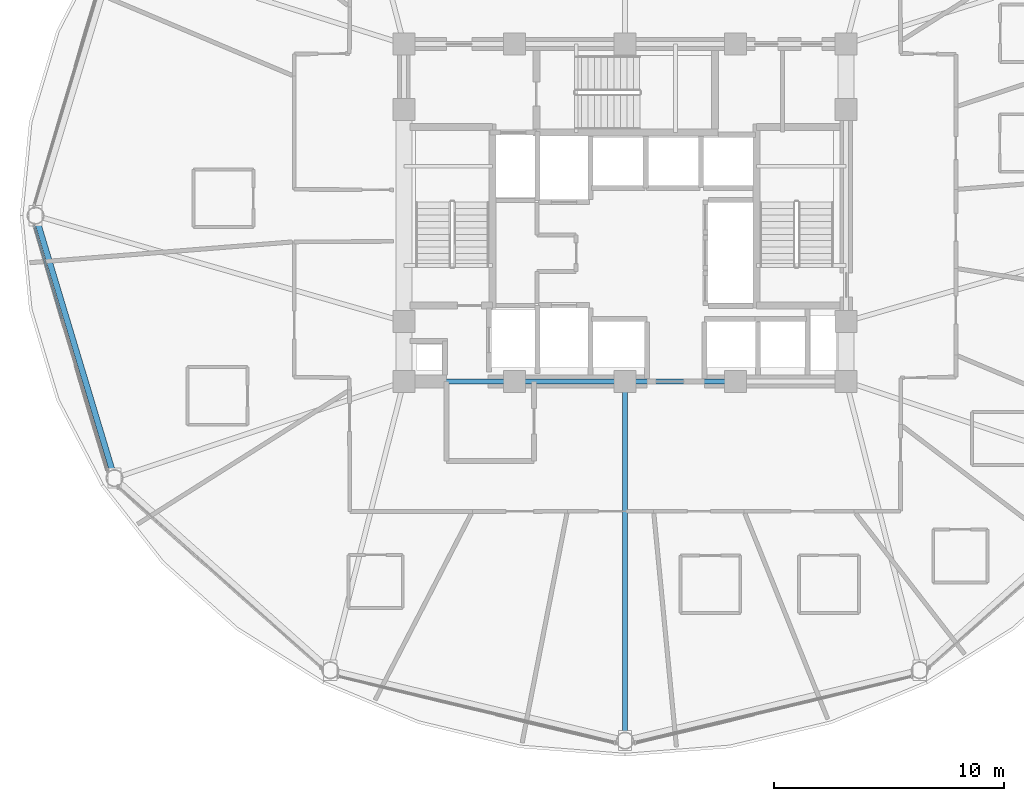
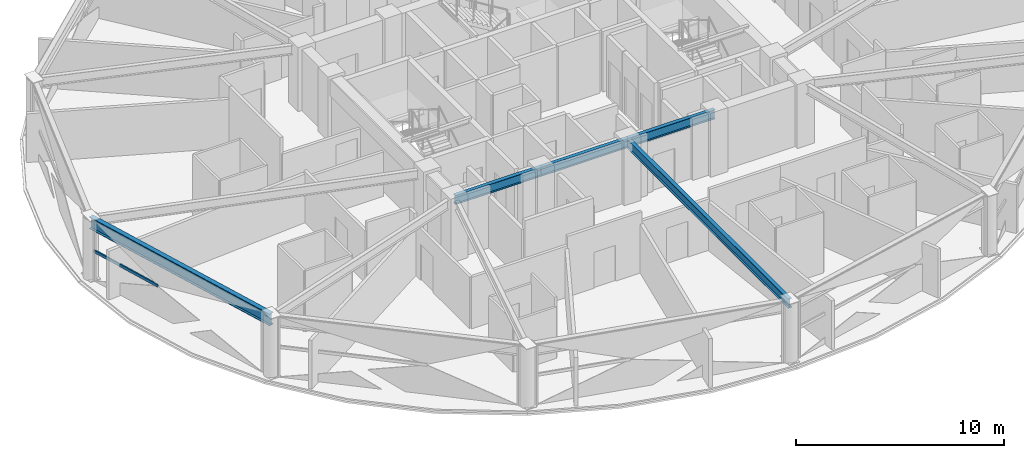
# One storey, part 6 of 32: 5 beams, 1 member, 1 element without a shape of its own.
"""IFC4 building model written with IfcOpenShell, lengths in metres."""

from ifc_helpers import new_model, si_unit, direction, frame, origin, origin_2d, place, context, subcontext, project, spatial, hollow_rectangle, i_section, extrude, material, layer, layer_set, material_profile, profile_set, type_object, element, aggregate, save


model = new_model("IFC4")

# Units and contexts
model_context = context("Model", 3, precision=1e-05, world=origin(), true_north=direction((0.0, 1.0)))
body_context = subcontext(model_context, "Body", "Model", "MODEL_VIEW")
ifc_project = project(units=[si_unit("LENGTHUNIT", "METRE"), si_unit("AREAUNIT", "SQUARE_METRE"), si_unit("VOLUMEUNIT", "CUBIC_METRE"), si_unit("PLANEANGLEUNIT", "RADIAN"), si_unit("MASSUNIT", "GRAM", prefix="KILO")], contexts=[model_context])

# Site, building, storey
site_placement = place(None, origin())
site = spatial("IfcSite", under=ifc_project, at=site_placement, CompositionType="ELEMENT")
building_placement = place(site_placement, origin())
building = spatial("IfcBuilding", under=site, at=building_placement, Name="Vantalir Tower", CompositionType="ELEMENT")
storey_placement = place(building_placement, frame((0.0, 0.0, 108.449951171875)))
storey = spatial("IfcBuildingStorey", under=building, at=storey_placement, Name="L26", CompositionType="ELEMENT", Elevation=108.449951171875)

# Beams
ifc_material_1 = material(Name="Steel S355", Category="steel")
ifc_material_profile_1 = material_profile(ifc_material_1, i_section(OverallWidth=0.2109375, OverallDepth=0.5390625, WebThickness=0.01171875, FlangeThickness=0.018798828125, at=origin_2d()), Name="Steel S355")
ifc_profile_set_1 = profile_set([ifc_material_profile_1], Name="Steel S355")
beam_type_1 = type_object("IfcBeamType", Name="BM-RB-533x210", PredefinedType="BEAM", material=ifc_profile_set_1)
for number, where, z_axis, x_axis, name in (
    (1, (21.89990234375, 17.800048828125, 3.300048828125), (1.0, 0.0, 0.0), (0.0, 1.0, 0.0), "L26 Core Coupling Girder 01"),
    (2, (26.699951171875, 17.800048828125, 3.300048828125), (1.0, 0.0, 0.0), (0.0, 1.0, 0.0), "L26 Core Coupling Girder 02"),
    (3, (31.5, 17.800048828125, 3.300048828125), (1.0, 0.0, 0.0), (0.0, 1.0, 0.0), "L26 Core Coupling Girder 03"),
):
    element("IfcBeam", number, at=place(storey_placement, frame(where, z_axis=z_axis, x_axis=x_axis)), inside=storey, type_object=beam_type_1, Name=name, PredefinedType="BEAM", context=body_context, shape_type="SweptSolid", body=[
        extrude(i_section(OverallWidth=0.2109375, OverallDepth=0.5390625, WebThickness=0.01171875, FlangeThickness=0.018798828125, at=origin_2d()), origin(), (0.0, 0.0, 1.0), 4.800048828125),
    ])
beam_1_placement = place(storey_placement, frame((31.5, 2.2119140625, 3.300048828125), z_axis=(0.0, 1.0, 0.0), x_axis=(-1.0, 0.0, 0.0)))
element("IfcBeam", 4, at=beam_1_placement, inside=storey, type_object=beam_type_1, Name="L26 Radial Floor Beam 10", PredefinedType="BEAM", context=body_context, shape_type="SweptSolid", body=[
    extrude(i_section(OverallWidth=0.2109375, OverallDepth=0.5390625, WebThickness=0.01171875, FlangeThickness=0.018798828125, at=origin_2d()), origin(), (0.0, 0.0, 1.0), 15.588134765625),
])
ifc_material_2 = material(Name="Steel S460", Category="steel")
ifc_material_profile_2 = material_profile(ifc_material_2, i_section(OverallWidth=0.256103515625, OverallDepth=0.693115234375, WebThickness=0.014404296875, FlangeThickness=0.023681640625, at=origin_2d()), Name="Steel S460")
ifc_profile_set_2 = profile_set([ifc_material_profile_2], Name="Steel S460")
beam_type_2 = type_object("IfcBeamType", Name="BM-RG-686x254", PredefinedType="USERDEFINED", material=ifc_profile_set_2)
beam_2_placement = place(storey_placement, frame((5.912109375, 25.0, 3.22314453125), z_axis=(0.288100770592, -0.95760009711, 0.0), x_axis=(0.95760009711, 0.288100770592, 0.0)))
element("IfcBeam", 5, at=beam_2_placement, inside=storey, type_object=beam_type_2, Name="L26 Circumferential Ring Girder 07", ObjectType="GIRDER", PredefinedType="USERDEFINED", context=body_context, shape_type="SweptSolid", body=[
    extrude(i_section(OverallWidth=0.256103515625, OverallDepth=0.693115234375, WebThickness=0.014404296875, FlangeThickness=0.023681640625, at=origin_2d()), origin(), (0.0, 0.0, 1.0), 11.8984375),
])

# Curtain wall, member
ifc_material_3 = material(Name="Champagne-silver PVDF aluminium and double-silver Low-E glass", Category="aluminium")
ifc_layer = layer(ifc_material_3, 0.199951171875)
ifc_layer_set = layer_set([ifc_layer], Name="Champagne-silver PVDF aluminium and double-silver Low-E glass")
curtain_wall_type = type_object("IfcCurtainWallType", Name="CW-DIAMOND-Z2", PredefinedType="USERDEFINED", material=ifc_layer_set)
curtain_wall_placement = place(storey_placement, origin())
curtain_wall = element("IfcCurtainWall", 6, at=curtain_wall_placement, inside=storey, type_object=curtain_wall_type, Name="L26 Quilted Pyramid-Diamond Curtain Wall S07", ObjectType="UNITISED CURTAIN WALL", PredefinedType="USERDEFINED")
ifc_material_4 = material(Name="Champagne-silver PVDF aluminium 6063-T6", Category="aluminium")
ifc_material_profile_3 = material_profile(ifc_material_4, hollow_rectangle(XDim=0.074951171875, YDim=0.159912109375, WallThickness=0.00390625, at=origin_2d()), Name="Champagne-silver PVDF aluminium 6063-T6")
ifc_profile_set_3 = profile_set([ifc_material_profile_3], Name="Champagne-silver PVDF aluminium 6063-T6")
member_type = type_object("IfcMemberType", Name="CWT-160x75", PredefinedType="USERDEFINED", material=ifc_profile_set_3)
member_placement = place(storey_placement, frame((5.84912109375, 24.5791015625, 1.78515625), z_axis=(0.2823197322, -0.959320368183, 0.0), x_axis=(0.959320368183, 0.2823197322, 0.0)))
member = element("IfcMember", 7, at=member_placement, type_object=member_type, Name="CW-L26-S07 Pyramid Fold Ridge Transom", ObjectType="TRANSOM", PredefinedType="USERDEFINED", context=body_context, shape_type="SweptSolid", body=[
    extrude(hollow_rectangle(XDim=0.074951171875, YDim=0.159912109375, WallThickness=0.00390625, at=origin_2d()), origin(), (0.0, 0.0, 1.0), 4.2216796875),
])
aggregate(curtain_wall, [member])

save(model, "model.ifc")
